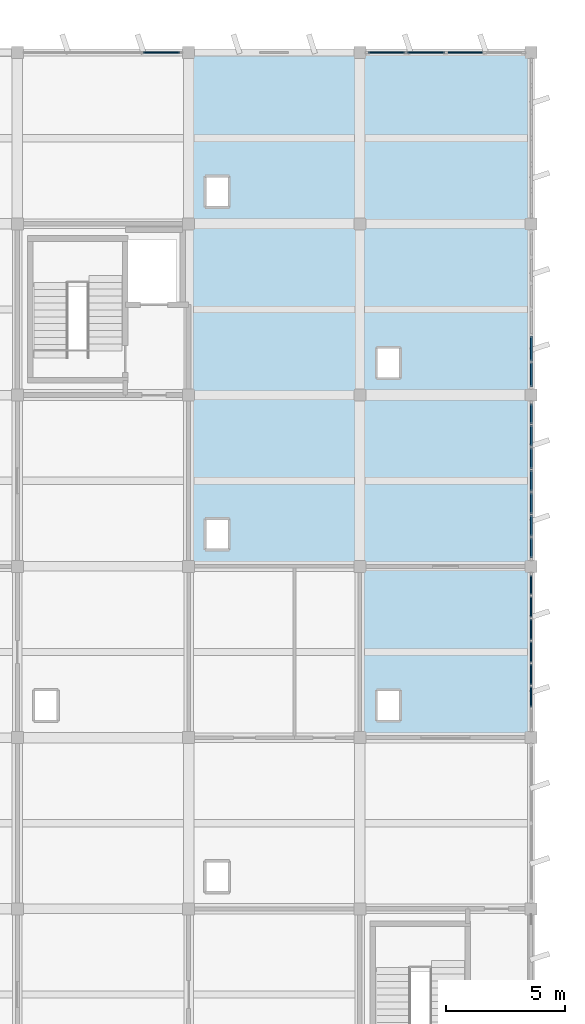
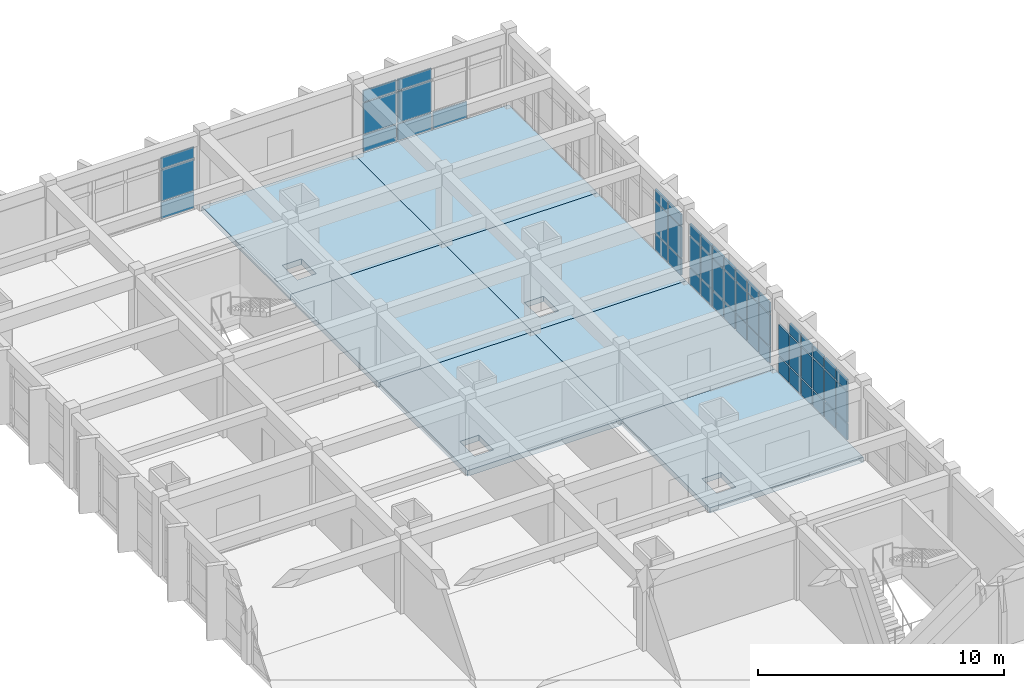
# One storey, part 27 of 40: 54 plates, 7 slabs, 5 elements without a shape of their own.
"""IFC4 building model written with IfcOpenShell, lengths in metres."""

from ifc_helpers import new_model, si_unit, direction, frame, origin, origin_2d, place, context, subcontext, project, spatial, polyline, rectangle, outline, extrude, material, layer, layer_set, type_object, element, aggregate, save


model = new_model("IFC4")

# Units and contexts
model_context = context("Model", 3, precision=1e-05, world=origin(), true_north=direction((0.0, 1.0)))
body_context = subcontext(model_context, "Body", "Model", "MODEL_VIEW")
ifc_project = project(units=[si_unit("LENGTHUNIT", "METRE"), si_unit("AREAUNIT", "SQUARE_METRE"), si_unit("VOLUMEUNIT", "CUBIC_METRE"), si_unit("PLANEANGLEUNIT", "RADIAN"), si_unit("MASSUNIT", "GRAM", prefix="KILO")], contexts=[model_context])

# Site, building, storey
site_placement = place(None, origin())
site = spatial("IfcSite", under=ifc_project, at=site_placement, CompositionType="ELEMENT")
building_placement = place(site_placement, origin())
building = spatial("IfcBuilding", under=site, at=building_placement, Name="Kavelor Marine Aquarium", CompositionType="ELEMENT")
storey_placement = place(building_placement, frame((0.0, 0.0, 17.639892578125)))
storey = spatial("IfcBuildingStorey", under=building, at=storey_placement, Name="L04", CompositionType="ELEMENT", Elevation=17.639892578125)

# Curtain wall, plates
ifc_material_1 = material(Name="Thermally Broken Aluminium and Low-E Glass", Category="aluminium")
ifc_layer_1 = layer(ifc_material_1, 0.26806640625)
ifc_layer_set_1 = layer_set([ifc_layer_1], Name="CW-SYS16")
curtain_wall_type_1 = type_object("IfcCurtainWallType", Name="CW-SYS16", PredefinedType="USERDEFINED", material=ifc_layer_set_1)
curtain_wall_1_placement = place(storey_placement, origin())
curtain_wall_1 = element("IfcCurtainWall", 1, at=curtain_wall_1_placement, inside=storey, type_object=curtain_wall_type_1, Name="cw:x:L04:17_15", ObjectType="Curtain Wall", PredefinedType="USERDEFINED")
ifc_material_2 = material(Name="Solar-Control Double Low-E Glazing", Category="glass")
ifc_layer_2 = layer(ifc_material_2, 0.055908203125)
ifc_layer_set_2 = layer_set([ifc_layer_2], Name="CWP-16")
plate_type_1 = type_object("IfcPlateType", Name="CWP-16", PredefinedType="CURTAIN_PANEL", material=ifc_layer_set_2)
plate_1_placement = place(storey_placement, frame((131.659912109375, 110.800048828125, 0.06005859375), z_axis=(0.0, 0.0, 1.0), x_axis=(1.0, 0.0, 0.0)))
plate_1 = element("IfcPlate", 2, at=plate_1_placement, type_object=plate_type_1, Name="CW16 panel 4.1", PredefinedType="CURTAIN_PANEL", context=body_context, shape_type="SweptSolid", body=[
    extrude(rectangle(XDim=1.5400390625, YDim=0.055908203125, at=origin_2d()), origin(), (0.0, 0.0, 1.0), 0.81005859375),
])
plate_2_placement = place(storey_placement, frame((131.659912109375, 110.800048828125, 0.93017578125), z_axis=(0.0, 0.0, 1.0), x_axis=(1.0, 0.0, 0.0)))
plate_2 = element("IfcPlate", 3, at=plate_2_placement, type_object=plate_type_1, Name="CW16 panel 4.2", PredefinedType="CURTAIN_PANEL", context=body_context, shape_type="SweptSolid", body=[
    extrude(rectangle(XDim=1.5400390625, YDim=0.055908203125, at=origin_2d()), origin(), (0.0, 0.0, 1.0), 1.550048828125),
])
plate_3_placement = place(storey_placement, frame((131.659912109375, 110.800048828125, 2.5400390625), z_axis=(0.0, 0.0, 1.0), x_axis=(1.0, 0.0, 0.0)))
plate_3 = element("IfcPlate", 4, at=plate_3_placement, type_object=plate_type_1, Name="CW16 panel 4.3", PredefinedType="CURTAIN_PANEL", context=body_context, shape_type="SweptSolid", body=[
    extrude(rectangle(XDim=1.5400390625, YDim=0.055908203125, at=origin_2d()), origin(), (0.0, 0.0, 1.0), 0.56005859375),
])
aggregate(curtain_wall_1, [plate_1, plate_2, plate_3])

ifc_material_3 = material(Name="Thermally Broken Aluminium and Low-E Glass", Category="aluminium")
ifc_layer_3 = layer(ifc_material_3, 0.27587890625)
ifc_layer_set_3 = layer_set([ifc_layer_3], Name="CW-SYS17")
curtain_wall_type_2 = type_object("IfcCurtainWallType", Name="CW-SYS17", PredefinedType="USERDEFINED", material=ifc_layer_set_3)
curtain_wall_2_placement = place(storey_placement, origin())
curtain_wall_2 = element("IfcCurtainWall", 5, at=curtain_wall_2_placement, inside=storey, type_object=curtain_wall_type_2, Name="cw:x:L04:19_15", ObjectType="Curtain Wall", PredefinedType="USERDEFINED")
ifc_material_4 = material(Name="Solar-Control Double Low-E Glazing", Category="glass")
ifc_layer_4 = layer(ifc_material_4, 0.05810546875)
ifc_layer_set_4 = layer_set([ifc_layer_4], Name="CWP-17")
plate_type_2 = type_object("IfcPlateType", Name="CWP-17", PredefinedType="CURTAIN_PANEL", material=ifc_layer_set_4)
plate_4_placement = place(storey_placement, frame((141.137451171875, 110.800048828125, 0.06005859375), z_axis=(0.0, 0.0, 1.0), x_axis=(1.0, 0.0, 0.0)))
plate_4 = element("IfcPlate", 6, at=plate_4_placement, type_object=plate_type_2, Name="CW17 panel 1.1", PredefinedType="CURTAIN_PANEL", context=body_context, shape_type="SweptSolid", body=[
    extrude(rectangle(XDim=1.554931640625, YDim=0.05810546875, at=origin_2d()), origin(), (0.0, 0.0, 1.0), 0.81005859375),
])
plate_5_placement = place(storey_placement, frame((141.137451171875, 110.800048828125, 0.93017578125), z_axis=(0.0, 0.0, 1.0), x_axis=(1.0, 0.0, 0.0)))
plate_5 = element("IfcPlate", 7, at=plate_5_placement, type_object=plate_type_2, Name="CW17 panel 1.2", PredefinedType="CURTAIN_PANEL", context=body_context, shape_type="SweptSolid", body=[
    extrude(rectangle(XDim=1.554931640625, YDim=0.05810546875, at=origin_2d()), origin(), (0.0, 0.0, 1.0), 1.550048828125),
])
plate_6_placement = place(storey_placement, frame((141.137451171875, 110.800048828125, 2.5400390625), z_axis=(0.0, 0.0, 1.0), x_axis=(1.0, 0.0, 0.0)))
plate_6 = element("IfcPlate", 8, at=plate_6_placement, type_object=plate_type_2, Name="CW17 panel 1.3", PredefinedType="CURTAIN_PANEL", context=body_context, shape_type="SweptSolid", body=[
    extrude(rectangle(XDim=1.554931640625, YDim=0.05810546875, at=origin_2d()), origin(), (0.0, 0.0, 1.0), 0.56005859375),
])
plate_7_placement = place(storey_placement, frame((142.773681640625, 110.800048828125, 0.06005859375), z_axis=(0.0, 0.0, 1.0), x_axis=(1.0, 0.0, 0.0)))
plate_7 = element("IfcPlate", 9, at=plate_7_placement, type_object=plate_type_2, Name="CW17 panel 2.1", PredefinedType="CURTAIN_PANEL", context=body_context, shape_type="SweptSolid", body=[
    extrude(rectangle(XDim=1.58740234375, YDim=0.05810546875, at=origin_2d()), origin(), (0.0, 0.0, 1.0), 0.81005859375),
])
plate_8_placement = place(storey_placement, frame((142.773681640625, 110.800048828125, 0.93017578125), z_axis=(0.0, 0.0, 1.0), x_axis=(1.0, 0.0, 0.0)))
plate_8 = element("IfcPlate", 10, at=plate_8_placement, type_object=plate_type_2, Name="CW17 panel 2.2", PredefinedType="CURTAIN_PANEL", context=body_context, shape_type="SweptSolid", body=[
    extrude(rectangle(XDim=1.58740234375, YDim=0.05810546875, at=origin_2d()), origin(), (0.0, 0.0, 1.0), 1.550048828125),
])
plate_9_placement = place(storey_placement, frame((142.773681640625, 110.800048828125, 2.5400390625), z_axis=(0.0, 0.0, 1.0), x_axis=(1.0, 0.0, 0.0)))
plate_9 = element("IfcPlate", 11, at=plate_9_placement, type_object=plate_type_2, Name="CW17 panel 2.3", PredefinedType="CURTAIN_PANEL", context=body_context, shape_type="SweptSolid", body=[
    extrude(rectangle(XDim=1.58740234375, YDim=0.05810546875, at=origin_2d()), origin(), (0.0, 0.0, 1.0), 0.56005859375),
])
plate_10_placement = place(storey_placement, frame((144.42626953125, 110.800048828125, 0.06005859375), z_axis=(0.0, 0.0, 1.0), x_axis=(1.0, 0.0, 0.0)))
plate_10 = element("IfcPlate", 12, at=plate_10_placement, type_object=plate_type_2, Name="CW17 panel 3.1", PredefinedType="CURTAIN_PANEL", context=body_context, shape_type="SweptSolid", body=[
    extrude(rectangle(XDim=1.58740234375, YDim=0.05810546875, at=origin_2d()), origin(), (0.0, 0.0, 1.0), 0.81005859375),
])
aggregate(curtain_wall_2, [plate_4, plate_5, plate_6, plate_7, plate_8, plate_9, plate_10])

ifc_material_5 = material(Name="Thermally Broken Aluminium and Low-E Glass", Category="aluminium")
ifc_layer_5 = layer(ifc_material_5, 0.14794921875)
ifc_layer_set_5 = layer_set([ifc_layer_5], Name="CW-SYS1")
curtain_wall_type_3 = type_object("IfcCurtainWallType", Name="CW-SYS1", PredefinedType="USERDEFINED", material=ifc_layer_set_5)
curtain_wall_3_placement = place(storey_placement, origin())
curtain_wall_3 = element("IfcCurtainWall", 13, at=curtain_wall_3_placement, inside=storey, type_object=curtain_wall_type_3, Name="cw:y:L04:20_11", ObjectType="Curtain Wall", PredefinedType="USERDEFINED")
ifc_material_6 = material(Name="Solar-Control Double Low-E Glazing", Category="glass")
ifc_layer_6 = layer(ifc_material_6, 0.073974609375)
ifc_layer_set_6 = layer_set([ifc_layer_6], Name="CWP-25")
plate_type_3 = type_object("IfcPlateType", Name="CWP-25", PredefinedType="CURTAIN_PANEL", material=ifc_layer_set_6)
plate_11_placement = place(storey_placement, frame((147.199951171875, 83.71142578125, 0.074951171875), z_axis=(0.0, 0.0, 1.0), x_axis=(0.0, 1.0, 0.0)))
plate_11 = element("IfcPlate", 14, at=plate_11_placement, type_object=plate_type_3, Name="CW01 panel 2.1", PredefinedType="CURTAIN_PANEL", context=body_context, shape_type="SweptSolid", body=[
    extrude(rectangle(XDim=0.869384765625, YDim=0.073974609375, at=origin_2d()), origin(), (0.0, 0.0, 1.0), 0.78759765625),
])
plate_12_placement = place(storey_placement, frame((147.199951171875, 83.71142578125, 0.9375), z_axis=(0.0, 0.0, 1.0), x_axis=(0.0, 1.0, 0.0)))
plate_12 = element("IfcPlate", 15, at=plate_12_placement, type_object=plate_type_3, Name="CW01 panel 2.2", PredefinedType="CURTAIN_PANEL", context=body_context, shape_type="SweptSolid", body=[
    extrude(rectangle(XDim=0.869384765625, YDim=0.073974609375, at=origin_2d()), origin(), (0.0, 0.0, 1.0), 1.514892578125),
])
plate_13_placement = place(storey_placement, frame((147.199951171875, 83.71142578125, 2.527587890625), z_axis=(0.0, 0.0, 1.0), x_axis=(0.0, 1.0, 0.0)))
plate_13 = element("IfcPlate", 16, at=plate_13_placement, type_object=plate_type_3, Name="CW01 panel 2.3", PredefinedType="CURTAIN_PANEL", context=body_context, shape_type="SweptSolid", body=[
    extrude(rectangle(XDim=0.869384765625, YDim=0.073974609375, at=origin_2d()), origin(), (0.0, 0.0, 1.0), 0.53759765625),
])
plate_14_placement = place(storey_placement, frame((147.199951171875, 84.65576171875, 0.074951171875), z_axis=(0.0, 0.0, 1.0), x_axis=(0.0, 1.0, 0.0)))
plate_14 = element("IfcPlate", 17, at=plate_14_placement, type_object=plate_type_3, Name="CW01 panel 3.1", PredefinedType="CURTAIN_PANEL", context=body_context, shape_type="SweptSolid", body=[
    extrude(rectangle(XDim=0.869384765625, YDim=0.073974609375, at=origin_2d()), origin(), (0.0, 0.0, 1.0), 0.78759765625),
])
plate_15_placement = place(storey_placement, frame((147.199951171875, 84.65576171875, 0.9375), z_axis=(0.0, 0.0, 1.0), x_axis=(0.0, 1.0, 0.0)))
plate_15 = element("IfcPlate", 18, at=plate_15_placement, type_object=plate_type_3, Name="CW01 panel 3.2", PredefinedType="CURTAIN_PANEL", context=body_context, shape_type="SweptSolid", body=[
    extrude(rectangle(XDim=0.869384765625, YDim=0.073974609375, at=origin_2d()), origin(), (0.0, 0.0, 1.0), 1.514892578125),
])
plate_16_placement = place(storey_placement, frame((147.199951171875, 84.65576171875, 2.527587890625), z_axis=(0.0, 0.0, 1.0), x_axis=(0.0, 1.0, 0.0)))
plate_16 = element("IfcPlate", 19, at=plate_16_placement, type_object=plate_type_3, Name="CW01 panel 3.3", PredefinedType="CURTAIN_PANEL", context=body_context, shape_type="SweptSolid", body=[
    extrude(rectangle(XDim=0.869384765625, YDim=0.073974609375, at=origin_2d()), origin(), (0.0, 0.0, 1.0), 0.53759765625),
])
plate_17_placement = place(storey_placement, frame((147.199951171875, 85.60009765625, 0.074951171875), z_axis=(0.0, 0.0, 1.0), x_axis=(0.0, 1.0, 0.0)))
plate_17 = element("IfcPlate", 20, at=plate_17_placement, type_object=plate_type_3, Name="CW01 panel 4.1", PredefinedType="CURTAIN_PANEL", context=body_context, shape_type="SweptSolid", body=[
    extrude(rectangle(XDim=0.869384765625, YDim=0.073974609375, at=origin_2d()), origin(), (0.0, 0.0, 1.0), 0.78759765625),
])
plate_18_placement = place(storey_placement, frame((147.199951171875, 85.60009765625, 0.9375), z_axis=(0.0, 0.0, 1.0), x_axis=(0.0, 1.0, 0.0)))
plate_18 = element("IfcPlate", 21, at=plate_18_placement, type_object=plate_type_3, Name="CW01 panel 4.2", PredefinedType="CURTAIN_PANEL", context=body_context, shape_type="SweptSolid", body=[
    extrude(rectangle(XDim=0.869384765625, YDim=0.073974609375, at=origin_2d()), origin(), (0.0, 0.0, 1.0), 1.514892578125),
])
plate_19_placement = place(storey_placement, frame((147.199951171875, 85.60009765625, 2.527587890625), z_axis=(0.0, 0.0, 1.0), x_axis=(0.0, 1.0, 0.0)))
plate_19 = element("IfcPlate", 22, at=plate_19_placement, type_object=plate_type_3, Name="CW01 panel 4.3", PredefinedType="CURTAIN_PANEL", context=body_context, shape_type="SweptSolid", body=[
    extrude(rectangle(XDim=0.869384765625, YDim=0.073974609375, at=origin_2d()), origin(), (0.0, 0.0, 1.0), 0.53759765625),
])
plate_20_placement = place(storey_placement, frame((147.199951171875, 86.544189453125, 0.074951171875), z_axis=(0.0, 0.0, 1.0), x_axis=(0.0, 1.0, 0.0)))
plate_20 = element("IfcPlate", 23, at=plate_20_placement, type_object=plate_type_3, Name="CW01 panel 5.1", PredefinedType="CURTAIN_PANEL", context=body_context, shape_type="SweptSolid", body=[
    extrude(rectangle(XDim=0.869384765625, YDim=0.073974609375, at=origin_2d()), origin(), (0.0, 0.0, 1.0), 0.78759765625),
])
plate_21_placement = place(storey_placement, frame((147.199951171875, 86.544189453125, 0.9375), z_axis=(0.0, 0.0, 1.0), x_axis=(0.0, 1.0, 0.0)))
plate_21 = element("IfcPlate", 24, at=plate_21_placement, type_object=plate_type_3, Name="CW01 panel 5.2", PredefinedType="CURTAIN_PANEL", context=body_context, shape_type="SweptSolid", body=[
    extrude(rectangle(XDim=0.869384765625, YDim=0.073974609375, at=origin_2d()), origin(), (0.0, 0.0, 1.0), 1.514892578125),
])
plate_22_placement = place(storey_placement, frame((147.199951171875, 86.544189453125, 2.527587890625), z_axis=(0.0, 0.0, 1.0), x_axis=(0.0, 1.0, 0.0)))
plate_22 = element("IfcPlate", 25, at=plate_22_placement, type_object=plate_type_3, Name="CW01 panel 5.3", PredefinedType="CURTAIN_PANEL", context=body_context, shape_type="SweptSolid", body=[
    extrude(rectangle(XDim=0.869384765625, YDim=0.073974609375, at=origin_2d()), origin(), (0.0, 0.0, 1.0), 0.53759765625),
])
plate_23_placement = place(storey_placement, frame((147.199951171875, 87.488525390625, 0.074951171875), z_axis=(0.0, 0.0, 1.0), x_axis=(0.0, 1.0, 0.0)))
plate_23 = element("IfcPlate", 26, at=plate_23_placement, type_object=plate_type_3, Name="CW01 panel 6.1", PredefinedType="CURTAIN_PANEL", context=body_context, shape_type="SweptSolid", body=[
    extrude(rectangle(XDim=0.869384765625, YDim=0.073974609375, at=origin_2d()), origin(), (0.0, 0.0, 1.0), 0.78759765625),
])
plate_24_placement = place(storey_placement, frame((147.199951171875, 87.488525390625, 0.9375), z_axis=(0.0, 0.0, 1.0), x_axis=(0.0, 1.0, 0.0)))
plate_24 = element("IfcPlate", 27, at=plate_24_placement, type_object=plate_type_3, Name="CW01 panel 6.2", PredefinedType="CURTAIN_PANEL", context=body_context, shape_type="SweptSolid", body=[
    extrude(rectangle(XDim=0.869384765625, YDim=0.073974609375, at=origin_2d()), origin(), (0.0, 0.0, 1.0), 1.514892578125),
])
plate_25_placement = place(storey_placement, frame((147.199951171875, 87.488525390625, 2.527587890625), z_axis=(0.0, 0.0, 1.0), x_axis=(0.0, 1.0, 0.0)))
plate_25 = element("IfcPlate", 28, at=plate_25_placement, type_object=plate_type_3, Name="CW01 panel 6.3", PredefinedType="CURTAIN_PANEL", context=body_context, shape_type="SweptSolid", body=[
    extrude(rectangle(XDim=0.869384765625, YDim=0.073974609375, at=origin_2d()), origin(), (0.0, 0.0, 1.0), 0.53759765625),
])
plate_26_placement = place(storey_placement, frame((147.199951171875, 88.4140625, 0.074951171875), z_axis=(0.0, 0.0, 1.0), x_axis=(0.0, 1.0, 0.0)))
plate_26 = element("IfcPlate", 29, at=plate_26_placement, type_object=plate_type_3, Name="CW01 panel 7.1", PredefinedType="CURTAIN_PANEL", context=body_context, shape_type="SweptSolid", body=[
    extrude(rectangle(XDim=0.831787109375, YDim=0.073974609375, at=origin_2d()), origin(), (0.0, 0.0, 1.0), 0.78759765625),
])
plate_27_placement = place(storey_placement, frame((147.199951171875, 88.4140625, 0.9375), z_axis=(0.0, 0.0, 1.0), x_axis=(0.0, 1.0, 0.0)))
plate_27 = element("IfcPlate", 30, at=plate_27_placement, type_object=plate_type_3, Name="CW01 panel 7.2", PredefinedType="CURTAIN_PANEL", context=body_context, shape_type="SweptSolid", body=[
    extrude(rectangle(XDim=0.831787109375, YDim=0.073974609375, at=origin_2d()), origin(), (0.0, 0.0, 1.0), 1.514892578125),
])
aggregate(curtain_wall_3, [plate_11, plate_12, plate_13, plate_14, plate_15, plate_16, plate_17, plate_18, plate_19, plate_20, plate_21, plate_22, plate_23, plate_24, plate_25, plate_26, plate_27])

ifc_material_7 = material(Name="Thermally Broken Aluminium and Low-E Glass", Category="aluminium")
ifc_layer_7 = layer(ifc_material_7, 0.156005859375)
ifc_layer_set_7 = layer_set([ifc_layer_7], Name="CW-SYS2")
curtain_wall_type_4 = type_object("IfcCurtainWallType", Name="CW-SYS2", PredefinedType="USERDEFINED", material=ifc_layer_set_7)
curtain_wall_4_placement = place(storey_placement, origin())
curtain_wall_4 = element("IfcCurtainWall", 31, at=curtain_wall_4_placement, inside=storey, type_object=curtain_wall_type_4, Name="cw:y:L04:20_12", ObjectType="Curtain Wall", PredefinedType="USERDEFINED")
ifc_material_8 = material(Name="Solar-Control Double Low-E Glazing", Category="glass")
ifc_layer_8 = layer(ifc_material_8, 0.075927734375)
ifc_layer_set_8 = layer_set([ifc_layer_8], Name="CWP-26")
plate_type_4 = type_object("IfcPlateType", Name="CWP-26", PredefinedType="CURTAIN_PANEL", material=ifc_layer_set_8)
plate_28_placement = place(storey_placement, frame((147.199951171875, 89.9833984375, 0.06494140625), z_axis=(0.0, 0.0, 1.0), x_axis=(0.0, 1.0, 0.0)))
plate_28 = element("IfcPlate", 32, at=plate_28_placement, type_object=plate_type_4, Name="CW02 panel 1.1", PredefinedType="CURTAIN_PANEL", context=body_context, shape_type="SweptSolid", body=[
    extrude(rectangle(XDim=0.8466796875, YDim=0.075927734375, at=origin_2d()), origin(), (0.0, 0.0, 1.0), 0.802490234375),
])
plate_29_placement = place(storey_placement, frame((147.199951171875, 89.9833984375, 0.9326171875), z_axis=(0.0, 0.0, 1.0), x_axis=(0.0, 1.0, 0.0)))
plate_29 = element("IfcPlate", 33, at=plate_29_placement, type_object=plate_type_4, Name="CW02 panel 1.2", PredefinedType="CURTAIN_PANEL", context=body_context, shape_type="SweptSolid", body=[
    extrude(rectangle(XDim=0.8466796875, YDim=0.075927734375, at=origin_2d()), origin(), (0.0, 0.0, 1.0), 1.52490234375),
])
plate_30_placement = place(storey_placement, frame((147.199951171875, 89.9833984375, 2.5224609375), z_axis=(0.0, 0.0, 1.0), x_axis=(0.0, 1.0, 0.0)))
plate_30 = element("IfcPlate", 34, at=plate_30_placement, type_object=plate_type_4, Name="CW02 panel 1.3", PredefinedType="CURTAIN_PANEL", context=body_context, shape_type="SweptSolid", body=[
    extrude(rectangle(XDim=0.8466796875, YDim=0.075927734375, at=origin_2d()), origin(), (0.0, 0.0, 1.0), 0.552490234375),
])
plate_31_placement = place(storey_placement, frame((147.199951171875, 90.911376953125, 0.06494140625), z_axis=(0.0, 0.0, 1.0), x_axis=(0.0, 1.0, 0.0)))
plate_31 = element("IfcPlate", 35, at=plate_31_placement, type_object=plate_type_4, Name="CW02 panel 2.1", PredefinedType="CURTAIN_PANEL", context=body_context, shape_type="SweptSolid", body=[
    extrude(rectangle(XDim=0.87939453125, YDim=0.075927734375, at=origin_2d()), origin(), (0.0, 0.0, 1.0), 0.802490234375),
])
plate_32_placement = place(storey_placement, frame((147.199951171875, 90.911376953125, 0.9326171875), z_axis=(0.0, 0.0, 1.0), x_axis=(0.0, 1.0, 0.0)))
plate_32 = element("IfcPlate", 36, at=plate_32_placement, type_object=plate_type_4, Name="CW02 panel 2.2", PredefinedType="CURTAIN_PANEL", context=body_context, shape_type="SweptSolid", body=[
    extrude(rectangle(XDim=0.87939453125, YDim=0.075927734375, at=origin_2d()), origin(), (0.0, 0.0, 1.0), 1.52490234375),
])
plate_33_placement = place(storey_placement, frame((147.199951171875, 90.911376953125, 2.5224609375), z_axis=(0.0, 0.0, 1.0), x_axis=(0.0, 1.0, 0.0)))
plate_33 = element("IfcPlate", 37, at=plate_33_placement, type_object=plate_type_4, Name="CW02 panel 2.3", PredefinedType="CURTAIN_PANEL", context=body_context, shape_type="SweptSolid", body=[
    extrude(rectangle(XDim=0.87939453125, YDim=0.075927734375, at=origin_2d()), origin(), (0.0, 0.0, 1.0), 0.552490234375),
])
plate_34_placement = place(storey_placement, frame((147.199951171875, 91.855712890625, 0.06494140625), z_axis=(0.0, 0.0, 1.0), x_axis=(0.0, 1.0, 0.0)))
plate_34 = element("IfcPlate", 38, at=plate_34_placement, type_object=plate_type_4, Name="CW02 panel 3.1", PredefinedType="CURTAIN_PANEL", context=body_context, shape_type="SweptSolid", body=[
    extrude(rectangle(XDim=0.87939453125, YDim=0.075927734375, at=origin_2d()), origin(), (0.0, 0.0, 1.0), 0.802490234375),
])
plate_35_placement = place(storey_placement, frame((147.199951171875, 91.855712890625, 0.9326171875), z_axis=(0.0, 0.0, 1.0), x_axis=(0.0, 1.0, 0.0)))
plate_35 = element("IfcPlate", 39, at=plate_35_placement, type_object=plate_type_4, Name="CW02 panel 3.2", PredefinedType="CURTAIN_PANEL", context=body_context, shape_type="SweptSolid", body=[
    extrude(rectangle(XDim=0.87939453125, YDim=0.075927734375, at=origin_2d()), origin(), (0.0, 0.0, 1.0), 1.52490234375),
])
plate_36_placement = place(storey_placement, frame((147.199951171875, 91.855712890625, 2.5224609375), z_axis=(0.0, 0.0, 1.0), x_axis=(0.0, 1.0, 0.0)))
plate_36 = element("IfcPlate", 40, at=plate_36_placement, type_object=plate_type_4, Name="CW02 panel 3.3", PredefinedType="CURTAIN_PANEL", context=body_context, shape_type="SweptSolid", body=[
    extrude(rectangle(XDim=0.87939453125, YDim=0.075927734375, at=origin_2d()), origin(), (0.0, 0.0, 1.0), 0.552490234375),
])
plate_37_placement = place(storey_placement, frame((147.199951171875, 92.800048828125, 0.06494140625), z_axis=(0.0, 0.0, 1.0), x_axis=(0.0, 1.0, 0.0)))
plate_37 = element("IfcPlate", 41, at=plate_37_placement, type_object=plate_type_4, Name="CW02 panel 4.1", PredefinedType="CURTAIN_PANEL", context=body_context, shape_type="SweptSolid", body=[
    extrude(rectangle(XDim=0.87939453125, YDim=0.075927734375, at=origin_2d()), origin(), (0.0, 0.0, 1.0), 0.802490234375),
])
plate_38_placement = place(storey_placement, frame((147.199951171875, 92.800048828125, 0.9326171875), z_axis=(0.0, 0.0, 1.0), x_axis=(0.0, 1.0, 0.0)))
plate_38 = element("IfcPlate", 42, at=plate_38_placement, type_object=plate_type_4, Name="CW02 panel 4.2", PredefinedType="CURTAIN_PANEL", context=body_context, shape_type="SweptSolid", body=[
    extrude(rectangle(XDim=0.87939453125, YDim=0.075927734375, at=origin_2d()), origin(), (0.0, 0.0, 1.0), 1.52490234375),
])
plate_39_placement = place(storey_placement, frame((147.199951171875, 92.800048828125, 2.5224609375), z_axis=(0.0, 0.0, 1.0), x_axis=(0.0, 1.0, 0.0)))
plate_39 = element("IfcPlate", 43, at=plate_39_placement, type_object=plate_type_4, Name="CW02 panel 4.3", PredefinedType="CURTAIN_PANEL", context=body_context, shape_type="SweptSolid", body=[
    extrude(rectangle(XDim=0.87939453125, YDim=0.075927734375, at=origin_2d()), origin(), (0.0, 0.0, 1.0), 0.552490234375),
])
plate_40_placement = place(storey_placement, frame((147.199951171875, 93.744384765625, 0.06494140625), z_axis=(0.0, 0.0, 1.0), x_axis=(0.0, 1.0, 0.0)))
plate_40 = element("IfcPlate", 44, at=plate_40_placement, type_object=plate_type_4, Name="CW02 panel 5.1", PredefinedType="CURTAIN_PANEL", context=body_context, shape_type="SweptSolid", body=[
    extrude(rectangle(XDim=0.87939453125, YDim=0.075927734375, at=origin_2d()), origin(), (0.0, 0.0, 1.0), 0.802490234375),
])
plate_41_placement = place(storey_placement, frame((147.199951171875, 93.744384765625, 0.9326171875), z_axis=(0.0, 0.0, 1.0), x_axis=(0.0, 1.0, 0.0)))
plate_41 = element("IfcPlate", 45, at=plate_41_placement, type_object=plate_type_4, Name="CW02 panel 5.2", PredefinedType="CURTAIN_PANEL", context=body_context, shape_type="SweptSolid", body=[
    extrude(rectangle(XDim=0.87939453125, YDim=0.075927734375, at=origin_2d()), origin(), (0.0, 0.0, 1.0), 1.52490234375),
])
plate_42_placement = place(storey_placement, frame((147.199951171875, 93.744384765625, 2.5224609375), z_axis=(0.0, 0.0, 1.0), x_axis=(0.0, 1.0, 0.0)))
plate_42 = element("IfcPlate", 46, at=plate_42_placement, type_object=plate_type_4, Name="CW02 panel 5.3", PredefinedType="CURTAIN_PANEL", context=body_context, shape_type="SweptSolid", body=[
    extrude(rectangle(XDim=0.87939453125, YDim=0.075927734375, at=origin_2d()), origin(), (0.0, 0.0, 1.0), 0.552490234375),
])
plate_43_placement = place(storey_placement, frame((147.199951171875, 94.6884765625, 0.06494140625), z_axis=(0.0, 0.0, 1.0), x_axis=(0.0, 1.0, 0.0)))
plate_43 = element("IfcPlate", 47, at=plate_43_placement, type_object=plate_type_4, Name="CW02 panel 6.1", PredefinedType="CURTAIN_PANEL", context=body_context, shape_type="SweptSolid", body=[
    extrude(rectangle(XDim=0.87939453125, YDim=0.075927734375, at=origin_2d()), origin(), (0.0, 0.0, 1.0), 0.802490234375),
])
plate_44_placement = place(storey_placement, frame((147.199951171875, 94.6884765625, 0.9326171875), z_axis=(0.0, 0.0, 1.0), x_axis=(0.0, 1.0, 0.0)))
plate_44 = element("IfcPlate", 48, at=plate_44_placement, type_object=plate_type_4, Name="CW02 panel 6.2", PredefinedType="CURTAIN_PANEL", context=body_context, shape_type="SweptSolid", body=[
    extrude(rectangle(XDim=0.87939453125, YDim=0.075927734375, at=origin_2d()), origin(), (0.0, 0.0, 1.0), 1.52490234375),
])
plate_45_placement = place(storey_placement, frame((147.199951171875, 94.6884765625, 2.5224609375), z_axis=(0.0, 0.0, 1.0), x_axis=(0.0, 1.0, 0.0)))
plate_45 = element("IfcPlate", 49, at=plate_45_placement, type_object=plate_type_4, Name="CW02 panel 6.3", PredefinedType="CURTAIN_PANEL", context=body_context, shape_type="SweptSolid", body=[
    extrude(rectangle(XDim=0.87939453125, YDim=0.075927734375, at=origin_2d()), origin(), (0.0, 0.0, 1.0), 0.552490234375),
])
plate_46_placement = place(storey_placement, frame((147.199951171875, 95.61669921875, 0.06494140625), z_axis=(0.0, 0.0, 1.0), x_axis=(0.0, 1.0, 0.0)))
plate_46 = element("IfcPlate", 50, at=plate_46_placement, type_object=plate_type_4, Name="CW02 panel 7.1", PredefinedType="CURTAIN_PANEL", context=body_context, shape_type="SweptSolid", body=[
    extrude(rectangle(XDim=0.8466796875, YDim=0.075927734375, at=origin_2d()), origin(), (0.0, 0.0, 1.0), 0.802490234375),
])
plate_47_placement = place(storey_placement, frame((147.199951171875, 95.61669921875, 0.9326171875), z_axis=(0.0, 0.0, 1.0), x_axis=(0.0, 1.0, 0.0)))
plate_47 = element("IfcPlate", 51, at=plate_47_placement, type_object=plate_type_4, Name="CW02 panel 7.2", PredefinedType="CURTAIN_PANEL", context=body_context, shape_type="SweptSolid", body=[
    extrude(rectangle(XDim=0.8466796875, YDim=0.075927734375, at=origin_2d()), origin(), (0.0, 0.0, 1.0), 1.52490234375),
])
plate_48_placement = place(storey_placement, frame((147.199951171875, 95.61669921875, 2.5224609375), z_axis=(0.0, 0.0, 1.0), x_axis=(0.0, 1.0, 0.0)))
plate_48 = element("IfcPlate", 52, at=plate_48_placement, type_object=plate_type_4, Name="CW02 panel 7.3", PredefinedType="CURTAIN_PANEL", context=body_context, shape_type="SweptSolid", body=[
    extrude(rectangle(XDim=0.8466796875, YDim=0.075927734375, at=origin_2d()), origin(), (0.0, 0.0, 1.0), 0.552490234375),
])
aggregate(curtain_wall_4, [plate_28, plate_29, plate_30, plate_31, plate_32, plate_33, plate_34, plate_35, plate_36, plate_37, plate_38, plate_39, plate_40, plate_41, plate_42, plate_43, plate_44, plate_45, plate_46, plate_47, plate_48])

ifc_material_9 = material(Name="Thermally Broken Aluminium and Low-E Glass", Category="aluminium")
ifc_layer_9 = layer(ifc_material_9, 0.1640625)
ifc_layer_set_9 = layer_set([ifc_layer_9], Name="CW-SYS3")
curtain_wall_type_5 = type_object("IfcCurtainWallType", Name="CW-SYS3", PredefinedType="USERDEFINED", material=ifc_layer_set_9)
curtain_wall_5_placement = place(storey_placement, origin())
curtain_wall_5 = element("IfcCurtainWall", 53, at=curtain_wall_5_placement, inside=storey, type_object=curtain_wall_type_5, Name="cw:y:L04:20_13", ObjectType="Curtain Wall", PredefinedType="USERDEFINED")
ifc_material_10 = material(Name="Solar-Control Double Low-E Glazing", Category="glass")
ifc_layer_10 = layer(ifc_material_10, 0.077880859375)
ifc_layer_set_10 = layer_set([ifc_layer_10], Name="CWP-27")
plate_type_5 = type_object("IfcPlateType", Name="CWP-27", PredefinedType="CURTAIN_PANEL", material=ifc_layer_set_10)
plate_49_placement = place(storey_placement, frame((147.199951171875, 97.2607421875, 0.06494140625), z_axis=(0.0, 0.0, 1.0), x_axis=(0.0, 1.0, 0.0)))
plate_49 = element("IfcPlate", 54, at=plate_49_placement, type_object=plate_type_5, Name="CW03 panel 1.1", PredefinedType="CURTAIN_PANEL", context=body_context, shape_type="SweptSolid", body=[
    extrude(rectangle(XDim=1.01171875, YDim=0.077880859375, at=origin_2d()), origin(), (0.0, 0.0, 1.0), 0.802490234375),
])
plate_50_placement = place(storey_placement, frame((147.199951171875, 97.2607421875, 0.9326171875), z_axis=(0.0, 0.0, 1.0), x_axis=(0.0, 1.0, 0.0)))
plate_50 = element("IfcPlate", 55, at=plate_50_placement, type_object=plate_type_5, Name="CW03 panel 1.2", PredefinedType="CURTAIN_PANEL", context=body_context, shape_type="SweptSolid", body=[
    extrude(rectangle(XDim=1.01171875, YDim=0.077880859375, at=origin_2d()), origin(), (0.0, 0.0, 1.0), 1.52490234375),
])
plate_51_placement = place(storey_placement, frame((147.199951171875, 97.2607421875, 2.5224609375), z_axis=(0.0, 0.0, 1.0), x_axis=(0.0, 1.0, 0.0)))
plate_51 = element("IfcPlate", 56, at=plate_51_placement, type_object=plate_type_5, Name="CW03 panel 1.3", PredefinedType="CURTAIN_PANEL", context=body_context, shape_type="SweptSolid", body=[
    extrude(rectangle(XDim=1.01171875, YDim=0.077880859375, at=origin_2d()), origin(), (0.0, 0.0, 1.0), 0.552490234375),
])
plate_52_placement = place(storey_placement, frame((147.199951171875, 98.347412109375, 0.06494140625), z_axis=(0.0, 0.0, 1.0), x_axis=(0.0, 1.0, 0.0)))
plate_52 = element("IfcPlate", 57, at=plate_52_placement, type_object=plate_type_5, Name="CW03 panel 2.1", PredefinedType="CURTAIN_PANEL", context=body_context, shape_type="SweptSolid", body=[
    extrude(rectangle(XDim=1.041748046875, YDim=0.077880859375, at=origin_2d()), origin(), (0.0, 0.0, 1.0), 0.802490234375),
])
plate_53_placement = place(storey_placement, frame((147.199951171875, 98.347412109375, 0.9326171875), z_axis=(0.0, 0.0, 1.0), x_axis=(0.0, 1.0, 0.0)))
plate_53 = element("IfcPlate", 58, at=plate_53_placement, type_object=plate_type_5, Name="CW03 panel 2.2", PredefinedType="CURTAIN_PANEL", context=body_context, shape_type="SweptSolid", body=[
    extrude(rectangle(XDim=1.041748046875, YDim=0.077880859375, at=origin_2d()), origin(), (0.0, 0.0, 1.0), 1.52490234375),
])
plate_54_placement = place(storey_placement, frame((147.199951171875, 98.347412109375, 2.5224609375), z_axis=(0.0, 0.0, 1.0), x_axis=(0.0, 1.0, 0.0)))
plate_54 = element("IfcPlate", 59, at=plate_54_placement, type_object=plate_type_5, Name="CW03 panel 2.3", PredefinedType="CURTAIN_PANEL", context=body_context, shape_type="SweptSolid", body=[
    extrude(rectangle(XDim=1.041748046875, YDim=0.077880859375, at=origin_2d()), origin(), (0.0, 0.0, 1.0), 0.552490234375),
])
aggregate(curtain_wall_5, [plate_49, plate_50, plate_51, plate_52, plate_53, plate_54])

# Slabs
ifc_material_11 = material(Name="Concrete C40/50", Category="concrete")
ifc_layer_11 = layer(ifc_material_11, 0.280029296875)
ifc_layer_set_11 = layer_set([ifc_layer_11], Name="SL-FL2")
slab_type_1 = type_object("IfcSlabType", Name="SL-FL2", PredefinedType="FLOOR", material=ifc_layer_set_11)
slab_1_placement = place(storey_placement, frame((0.0, 0.0, -0.27978515625)))
element("IfcSlab", 60, at=slab_1_placement, inside=storey, type_object=slab_type_1, Name="slab:L04:18_12", PredefinedType="FLOOR", context=body_context, shape_type="SweptSolid", body=[
    extrude(outline(polyline([(132.800048828125, 89.199951171875), (140.0, 89.199951171875), (140.0, 96.39990234375), (132.800048828125, 96.39990234375), (132.800048828125, 89.199951171875)]), holes=[polyline([(133.550048828125, 89.949951171875), (134.449951171875, 89.949951171875), (134.449951171875, 91.14990234375), (133.550048828125, 91.14990234375), (133.550048828125, 89.949951171875)])]), origin(), (0.0, 0.0, 1.0), 0.27978515625),
])
slab_2_placement = place(storey_placement, frame((0.0, 0.0, -0.27978515625)))
element("IfcSlab", 61, at=slab_2_placement, inside=storey, type_object=slab_type_1, Name="slab:L04:18_13", PredefinedType="FLOOR", context=body_context, shape_type="SweptSolid", body=[
    extrude(outline(polyline([(132.800048828125, 96.39990234375), (140.0, 96.39990234375), (140.0, 103.60009765625), (132.800048828125, 103.60009765625), (132.800048828125, 96.39990234375)])), origin(), (0.0, 0.0, 1.0), 0.27978515625),
])
slab_3_placement = place(storey_placement, frame((0.0, 0.0, -0.27978515625)))
element("IfcSlab", 62, at=slab_3_placement, inside=storey, type_object=slab_type_1, Name="slab:L04:18_14", PredefinedType="FLOOR", context=body_context, shape_type="SweptSolid", body=[
    extrude(outline(polyline([(132.800048828125, 103.60009765625), (140.0, 103.60009765625), (140.0, 110.800048828125), (132.800048828125, 110.800048828125), (132.800048828125, 103.60009765625)]), holes=[polyline([(133.550048828125, 104.35009765625), (134.449951171875, 104.35009765625), (134.449951171875, 105.550048828125), (133.550048828125, 105.550048828125), (133.550048828125, 104.35009765625)])]), origin(), (0.0, 0.0, 1.0), 0.27978515625),
])
ifc_material_12 = material(Name="Concrete C40/50", Category="concrete")
ifc_layer_12 = layer(ifc_material_12, 0.260009765625)
ifc_layer_set_12 = layer_set([ifc_layer_12], Name="SL-FL3")
slab_type_2 = type_object("IfcSlabType", Name="SL-FL3", PredefinedType="FLOOR", material=ifc_layer_set_12)
slab_4_placement = place(storey_placement, frame((0.0, 0.0, -0.260009765625)))
element("IfcSlab", 63, at=slab_4_placement, inside=storey, type_object=slab_type_2, Name="slab:L04:19_11", PredefinedType="FLOOR", context=body_context, shape_type="SweptSolid", body=[
    extrude(outline(polyline([(140.0, 82.0), (147.199951171875, 82.0), (147.199951171875, 89.199951171875), (140.0, 89.199951171875), (140.0, 82.0)]), holes=[polyline([(140.75, 82.75), (141.64990234375, 82.75), (141.64990234375, 83.949951171875), (140.75, 83.949951171875), (140.75, 82.75)])]), origin(), (0.0, 0.0, 1.0), 0.260009765625),
])
slab_5_placement = place(storey_placement, frame((0.0, 0.0, -0.260009765625)))
element("IfcSlab", 64, at=slab_5_placement, inside=storey, type_object=slab_type_2, Name="slab:L04:19_12", PredefinedType="FLOOR", context=body_context, shape_type="SweptSolid", body=[
    extrude(outline(polyline([(140.0, 89.199951171875), (147.199951171875, 89.199951171875), (147.199951171875, 96.39990234375), (140.0, 96.39990234375), (140.0, 89.199951171875)])), origin(), (0.0, 0.0, 1.0), 0.260009765625),
])
slab_6_placement = place(storey_placement, frame((0.0, 0.0, -0.260009765625)))
element("IfcSlab", 65, at=slab_6_placement, inside=storey, type_object=slab_type_2, Name="slab:L04:19_13", PredefinedType="FLOOR", context=body_context, shape_type="SweptSolid", body=[
    extrude(outline(polyline([(140.0, 96.39990234375), (147.199951171875, 96.39990234375), (147.199951171875, 103.60009765625), (140.0, 103.60009765625), (140.0, 96.39990234375)]), holes=[polyline([(140.75, 97.14990234375), (141.64990234375, 97.14990234375), (141.64990234375, 98.35009765625), (140.75, 98.35009765625), (140.75, 97.14990234375)])]), origin(), (0.0, 0.0, 1.0), 0.260009765625),
])
slab_7_placement = place(storey_placement, frame((0.0, 0.0, -0.260009765625)))
element("IfcSlab", 66, at=slab_7_placement, inside=storey, type_object=slab_type_2, Name="slab:L04:19_14", PredefinedType="FLOOR", context=body_context, shape_type="SweptSolid", body=[
    extrude(outline(polyline([(140.0, 103.60009765625), (147.199951171875, 103.60009765625), (147.199951171875, 110.800048828125), (140.0, 110.800048828125), (140.0, 103.60009765625)])), origin(), (0.0, 0.0, 1.0), 0.260009765625),
])

save(model, "model.ifc")
